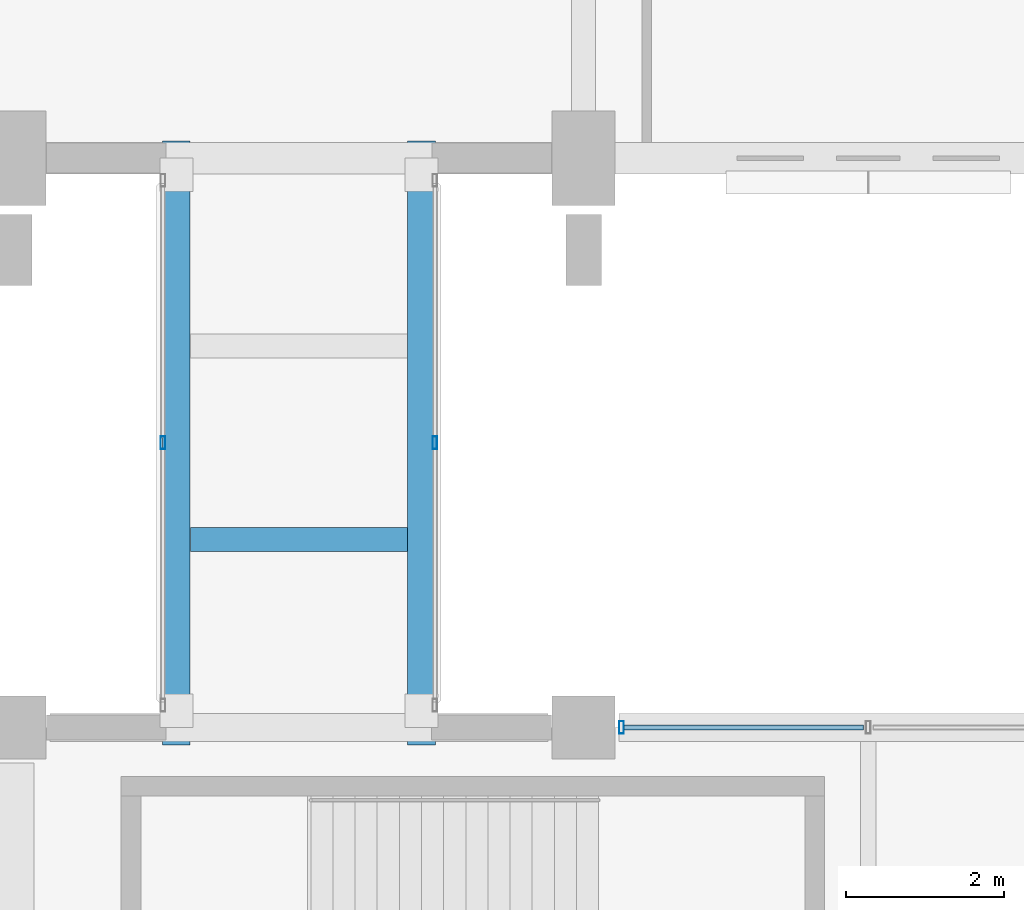
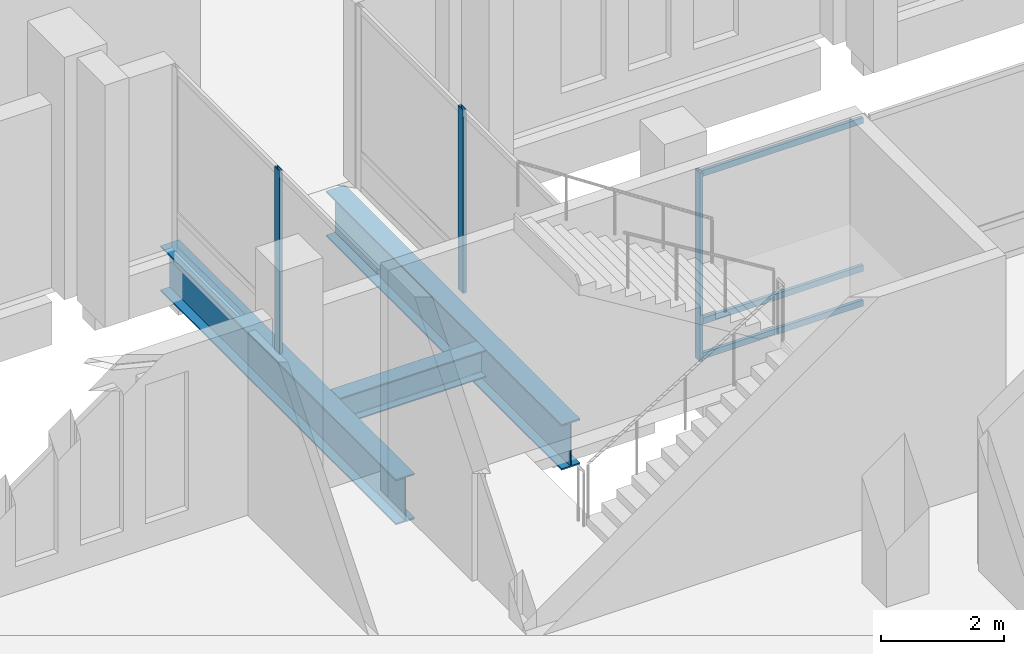
# One storey, part 88 of 220: 6 members, 3 beams, 3 elements without a shape of their own.
"""IFC4 building model written with IfcOpenShell, lengths in metres."""

from ifc_helpers import new_model, si_unit, direction, frame, origin, origin_2d, place, context, subcontext, project, spatial, hollow_rectangle, i_section, extrude, material, material_profile, profile_set, type_object, element, aggregate, save


model = new_model("IFC4")

# Units and contexts
model_context = context("Model", 3, precision=1e-05, world=origin(), true_north=direction((0.0, 1.0)))
body_context = subcontext(model_context, "Body", "Model", "MODEL_VIEW")
ifc_project = project(units=[si_unit("LENGTHUNIT", "METRE"), si_unit("AREAUNIT", "SQUARE_METRE"), si_unit("VOLUMEUNIT", "CUBIC_METRE"), si_unit("PLANEANGLEUNIT", "RADIAN"), si_unit("MASSUNIT", "GRAM", prefix="KILO")], contexts=[model_context])

# Site, building, storey
site_placement = place(None, origin())
site = spatial("IfcSite", under=ifc_project, at=site_placement, CompositionType="ELEMENT")
building_placement = place(site_placement, origin())
building = spatial("IfcBuilding", under=site, at=building_placement, Name="Cendralis Lancet Convention Centre", CompositionType="ELEMENT")
storey_placement = place(building_placement, frame((0.0, 0.0, 5.39990234375)))
storey = spatial("IfcBuildingStorey", under=building, at=storey_placement, Name="L01", CompositionType="ELEMENT", Elevation=5.39990234375)

# Curtain wall, member
ifc_material_1 = material(Name="Anodised bronze architectural aluminium", Category="aluminium")
curtain_wall_type_1 = type_object("IfcCurtainWallType", Name="ARC-CW-CL02", PredefinedType="USERDEFINED", material=ifc_material_1)
curtain_wall_1_placement = place(storey_placement, origin())
curtain_wall_1 = element("IfcCurtainWall", 1, at=curtain_wall_1_placement, inside=storey, type_object=curtain_wall_type_1, Name="L01 Curtain Wall CW-CL2 #182", ObjectType="CURTAIN WALL", PredefinedType="USERDEFINED")
ifc_material_profile_1 = material_profile(ifc_material_1, hollow_rectangle(XDim=0.06005859375, YDim=0.159912109375, WallThickness=0.00390625, at=origin_2d()), Name="AL-MULL 60x160x4.0")
ifc_profile_set_1 = profile_set([ifc_material_profile_1], Name="Anodised bronze architectural aluminium")
member_type_1 = type_object("IfcMemberType", Name="ARC-CW-ML01", PredefinedType="MULLION", material=ifc_profile_set_1)
member_1_placement = place(storey_placement, frame((154.080078125, 36.0, 0.0), z_axis=(0.0, 0.0, 1.0), x_axis=(1.0, 0.0, 0.0)))
member_1 = element("IfcMember", 2, at=member_1_placement, type_object=member_type_1, Name="Mullion CW2-CW-CL2-L01-182-M0", PredefinedType="MULLION", context=body_context, shape_type="SweptSolid", body=[
    extrude(hollow_rectangle(XDim=0.06005859375, YDim=0.159912109375, WallThickness=0.00390625, at=origin_2d()), origin(), (0.0, 0.0, 1.0), 3.735107421875),
])

curtain_wall_type_2 = type_object("IfcCurtainWallType", Name="ARC-CW-BR01", PredefinedType="USERDEFINED", material=ifc_material_1)
curtain_wall_2_placement = place(storey_placement, origin())
curtain_wall_2 = element("IfcCurtainWall", 3, at=curtain_wall_2_placement, inside=storey, type_object=curtain_wall_type_2, Name="L01 Curtain Wall CW-BR1 #213", ObjectType="CURTAIN WALL", PredefinedType="USERDEFINED")
member_2_placement = place(storey_placement, frame((148.280029296875, 39.60009765625, 0.0), z_axis=(0.0, 0.0, 1.0), x_axis=(1.0, 0.0, 0.0)))
member_2 = element("IfcMember", 4, at=member_2_placement, type_object=member_type_1, Name="Mullion CW2-CW-BR1-L01-213-M1", PredefinedType="MULLION", context=body_context, shape_type="SweptSolid", body=[
    extrude(hollow_rectangle(XDim=0.06005859375, YDim=0.159912109375, WallThickness=0.00390625, at=origin_2d()), origin(), (0.0, 0.0, 1.0), 3.635009765625),
])
aggregate(curtain_wall_2, [member_2])

curtain_wall_3_placement = place(storey_placement, origin())
curtain_wall_3 = element("IfcCurtainWall", 5, at=curtain_wall_3_placement, inside=storey, type_object=curtain_wall_type_2, Name="L01 Curtain Wall CW-BR1 #214", ObjectType="CURTAIN WALL", PredefinedType="USERDEFINED")
member_3_placement = place(storey_placement, frame((151.719970703125, 39.60009765625, 0.0), z_axis=(0.0, 0.0, 1.0), x_axis=(1.0, 0.0, 0.0)))
member_3 = element("IfcMember", 6, at=member_3_placement, type_object=member_type_1, Name="Mullion CW2-CW-BR1-L01-214-M1", PredefinedType="MULLION", context=body_context, shape_type="SweptSolid", body=[
    extrude(hollow_rectangle(XDim=0.06005859375, YDim=0.159912109375, WallThickness=0.00390625, at=origin_2d()), origin(), (0.0, 0.0, 1.0), 3.635009765625),
])
aggregate(curtain_wall_3, [member_3])

# Member
ifc_material_profile_2 = material_profile(ifc_material_1, hollow_rectangle(XDim=0.06005859375, YDim=0.1201171875, WallThickness=0.00390625, at=origin_2d()), Name="AL-TRAN 60x120x4.0")
ifc_profile_set_2 = profile_set([ifc_material_profile_2], Name="Anodised bronze architectural aluminium")
member_type_2 = type_object("IfcMemberType", Name="ARC-CW-TR01", PredefinedType="USERDEFINED", material=ifc_profile_set_2)
member_4_placement = place(storey_placement, frame((154.110107421875, 36.0, 0.06005859375), z_axis=(1.0, 0.0, 0.0), x_axis=(0.0, 1.0, 0.0)))
member_4 = element("IfcMember", 7, at=member_4_placement, type_object=member_type_2, Name="Transom CW2-CW-CL2-L01-182-T0BOT", ObjectType="TRANSOM", PredefinedType="USERDEFINED", context=body_context, shape_type="SweptSolid", body=[
    extrude(hollow_rectangle(XDim=0.06005859375, YDim=0.1201171875, WallThickness=0.00390625, at=origin_2d()), origin(), (0.0, 0.0, 1.0), 3.02978515625),
])

member_5_placement = place(storey_placement, frame((154.110107421875, 36.0, 0.75), z_axis=(1.0, 0.0, 0.0), x_axis=(0.0, 1.0, 0.0)))
member_5 = element("IfcMember", 8, at=member_5_placement, type_object=member_type_2, Name="Transom CW2-CW-CL2-L01-182-T0MID", ObjectType="TRANSOM", PredefinedType="USERDEFINED", context=body_context, shape_type="SweptSolid", body=[
    extrude(hollow_rectangle(XDim=0.06005859375, YDim=0.1201171875, WallThickness=0.00390625, at=origin_2d()), origin(), (0.0, 0.0, 1.0), 3.02978515625),
])

member_6_placement = place(storey_placement, frame((154.110107421875, 36.0, 3.675048828125), z_axis=(1.0, 0.0, 0.0), x_axis=(0.0, 1.0, 0.0)))
member_6 = element("IfcMember", 9, at=member_6_placement, type_object=member_type_2, Name="Transom CW2-CW-CL2-L01-182-T0TOP", ObjectType="TRANSOM", PredefinedType="USERDEFINED", context=body_context, shape_type="SweptSolid", body=[
    extrude(hollow_rectangle(XDim=0.06005859375, YDim=0.1201171875, WallThickness=0.00390625, at=origin_2d()), origin(), (0.0, 0.0, 1.0), 3.02978515625),
])

aggregate(curtain_wall_1, [member_1, member_4, member_5, member_6])

# Beams
ifc_material_2 = material(Name="Steel S355", Category="steel")
ifc_material_profile_3 = material_profile(ifc_material_2, i_section(OverallWidth=0.35009765625, OverallDepth=0.89990234375, WebThickness=0.01611328125, FlangeThickness=0.028076171875, at=origin_2d()), Name="PG 900x350")
ifc_profile_set_3 = profile_set([ifc_material_profile_3], Name="Steel S355")
beam_type_1 = type_object("IfcBeamType", Name="STR-BM-SG05", PredefinedType="BEAM", material=ifc_profile_set_3)
for number, where, z_axis, x_axis, name in (
    (10, (148.449951171875, 35.780029296875, -0.669921875), (0.0, 1.0, 0.0), (-1.0, 0.0, 0.0), "L01 Beam SG05 #1932"),
    (11, (151.550048828125, 35.780029296875, -0.669921875), (0.0, 1.0, 0.0), (-1.0, 0.0, 0.0), "L01 Beam SG05 #1933"),
):
    element("IfcBeam", number, at=place(storey_placement, frame(where, z_axis=z_axis, x_axis=x_axis)), inside=storey, type_object=beam_type_1, Name=name, PredefinedType="BEAM", context=body_context, shape_type="SweptSolid", body=[
        extrude(i_section(OverallWidth=0.35009765625, OverallDepth=0.89990234375, WebThickness=0.01611328125, FlangeThickness=0.028076171875, at=origin_2d()), origin(), (0.0, 0.0, 1.0), 7.639892578125),
    ])
ifc_material_profile_4 = material_profile(ifc_material_2, i_section(OverallWidth=0.300048828125, OverallDepth=0.5400390625, WebThickness=0.012451171875, FlangeThickness=0.02392578125, FilletRadius=0.027099609375, at=origin_2d()), Name="HEA 550")
ifc_profile_set_4 = profile_set([ifc_material_profile_4], Name="Steel S355")
beam_type_2 = type_object("IfcBeamType", Name="STR-BM-SG11", PredefinedType="BEAM", material=ifc_profile_set_4)
beam_placement = place(storey_placement, frame((148.6298828125, 38.3759765625, -0.489990234375), z_axis=(1.0, 0.0, 0.0), x_axis=(0.0, 1.0, 0.0)))
element("IfcBeam", 12, at=beam_placement, inside=storey, type_object=beam_type_2, Name="L01 Beam SG11 #1934", PredefinedType="BEAM", context=body_context, shape_type="SweptSolid", body=[
    extrude(i_section(OverallWidth=0.300048828125, OverallDepth=0.5400390625, WebThickness=0.012451171875, FlangeThickness=0.02392578125, FilletRadius=0.027099609375, at=origin_2d()), origin(), (0.0, 0.0, 1.0), 2.740234375),
])

save(model, "model.ifc")
